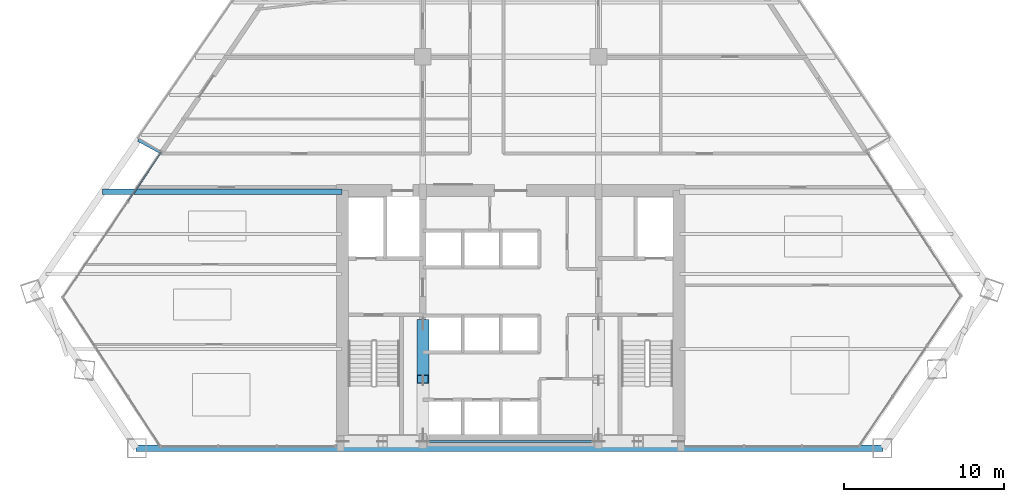
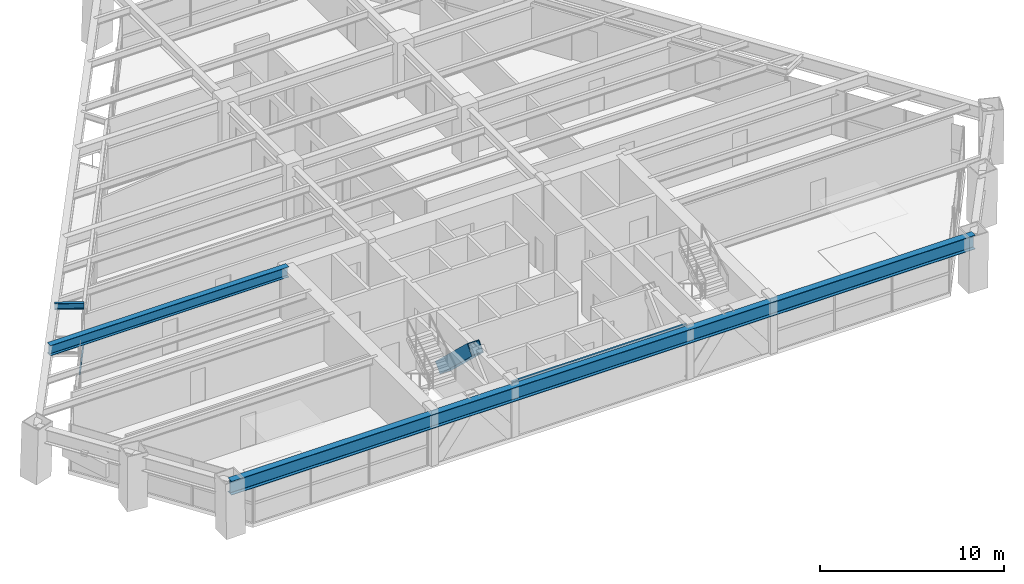
# One storey, part 3 of 14: 4 beams, 2 members, 1 element without a shape of its own.
"""IFC4 building model written with IfcOpenShell, lengths in metres."""

from ifc_helpers import new_model, si_unit, direction, frame, origin, origin_2d, place, context, subcontext, project, spatial, rectangle, hollow_rectangle, i_section, extrude, source, transform, mapped, material, material_profile, profile_set, type_object, type_shapes, element, aggregate, save


model = new_model("IFC4")

# Units and contexts
model_context = context("Model", 3, precision=1e-05, world=origin(), true_north=direction((0.0, 1.0)))
body_context = subcontext(model_context, "Body", "Model", "MODEL_VIEW")
ifc_project = project(units=[si_unit("LENGTHUNIT", "METRE"), si_unit("AREAUNIT", "SQUARE_METRE"), si_unit("VOLUMEUNIT", "CUBIC_METRE"), si_unit("PLANEANGLEUNIT", "RADIAN"), si_unit("MASSUNIT", "GRAM", prefix="KILO")], contexts=[model_context])

# Site, building, storey
site_placement = place(None, origin())
site = spatial("IfcSite", under=ifc_project, at=site_placement, CompositionType="ELEMENT")
building_placement = place(site_placement, origin())
building = spatial("IfcBuilding", under=site, at=building_placement, Name="Varnakhor Terracotta Tower", CompositionType="ELEMENT")
storey_placement = place(building_placement, frame((0.0, 0.0, 80.300048828125)))
storey = spatial("IfcBuildingStorey", under=building, at=storey_placement, Name="L19", CompositionType="ELEMENT", Elevation=80.300048828125)

# Beam
ifc_material_1 = material(Name="Steel S355", Category="steel")
ifc_material_profile_1 = material_profile(ifc_material_1, i_section(OverallWidth=0.1201171875, OverallDepth=0.239990234375, WebThickness=0.006103515625, FlangeThickness=0.009765625, FilletRadius=0.01806640625, at=origin_2d()), Name="IPE240")
ifc_profile_set_1 = profile_set([ifc_material_profile_1], Name="Steel S355")
beam_type_1 = type_object("IfcBeamType", Name="LNT-IPE240", PredefinedType="LINTEL", material=ifc_profile_set_1)
shared_shape_1 = source(origin(), body_context, "Body", "SweptSolid", [
    extrude(i_section(OverallWidth=0.1201171875, OverallDepth=0.239990234375, WebThickness=0.006103515625, FlangeThickness=0.009765625, FilletRadius=0.01806640625, at=origin_2d()), origin(), (0.0, 0.0, 1.0), 11.0),
])
type_shapes(beam_type_1, [shared_shape_1])
beam_1_placement = place(storey_placement, frame((-5.5, 0.419921875, 3.329833984375), z_axis=(1.0, 0.0, 0.0), x_axis=(0.0, 1.0, 0.0)))
element("IfcBeam", 1, at=beam_1_placement, inside=storey, type_object=beam_type_1, Name="L19 Core South Coupling Lintel", PredefinedType="LINTEL", context=body_context, shape_type="MappedRepresentation", body=[
    mapped(shared_shape_1, transform((0.0, 0.0, 0.0), scale=1.0)),
])

# Member
ifc_material_2 = material(Name="Steel S460", Category="steel")
ifc_material_profile_2 = material_profile(ifc_material_2, hollow_rectangle(XDim=0.75, YDim=0.75, WallThickness=0.044921875, at=origin_2d()), Name="HSS750X750X45")
ifc_profile_set_2 = profile_set([ifc_material_profile_2], Name="Steel S460")
member_type_1 = type_object("IfcMemberType", Name="MBR-MEGA-750", PredefinedType="BRACE", material=ifc_profile_set_2)
shared_shape_2 = source(origin(), body_context, "Body", "SweptSolid", [
    extrude(hollow_rectangle(XDim=0.75, YDim=0.75, WallThickness=0.044921875, at=origin_2d()), origin(), (0.0, 0.0, 1.0), 4.792236328125),
])
member_1_placement = place(storey_placement, frame((-5.5, 7.800048828125, 0.0), z_axis=(0.0, -0.72513424341, 0.688607529028), x_axis=(1.0, 0.0, 0.0)))
element("IfcMember", 2, at=member_1_placement, inside=storey, type_object=member_type_1, Name="L19 Core Coupled Brace CWWB", PredefinedType="BRACE", context=body_context, shape_type="MappedRepresentation", body=[
    mapped(shared_shape_2, transform((0.0, 0.0, 0.0), scale=1.0)),
])

# Beams
ifc_material_profile_3 = material_profile(ifc_material_1, i_section(OverallWidth=0.41796875, OverallDepth=0.927001953125, WebThickness=0.01904296875, FlangeThickness=0.031982421875, FilletRadius=0.01806640625, at=origin_2d()), Name="W36X231")
ifc_profile_set_3 = profile_set([ifc_material_profile_3], Name="Steel S355")
beam_type_2 = type_object("IfcBeamType", Name="BM-W36X231", PredefinedType="BEAM", material=ifc_profile_set_3)
shared_shape_3 = source(origin(), body_context, "Body", "SweptSolid", [
    extrude(i_section(OverallWidth=0.41796875, OverallDepth=0.927001953125, WebThickness=0.01904296875, FlangeThickness=0.031982421875, FilletRadius=0.01806640625, at=origin_2d()), origin(), (0.0, 0.0, 1.0), 46.737548828125),
])
beam_2_placement = place(storey_placement, frame((-23.43994140625, 0.0, 2.986572265625), z_axis=(1.0, 0.0, 0.0), x_axis=(0.0, 1.0, 0.0)))
element("IfcBeam", 3, at=beam_2_placement, inside=storey, type_object=beam_type_2, Name="L19 Perimeter Spandrel 1", PredefinedType="BEAM", context=body_context, shape_type="MappedRepresentation", body=[
    mapped(shared_shape_3, transform((0.0, 0.0, 0.0), scale=1.0)),
])
ifc_material_profile_4 = material_profile(ifc_material_1, i_section(OverallWidth=0.35498046875, OverallDepth=0.695068359375, WebThickness=0.014892578125, FlangeThickness=0.02490234375, FilletRadius=0.01806640625, at=origin_2d()), Name="W27X146")
ifc_profile_set_4 = profile_set([ifc_material_profile_4], Name="Steel S355")
beam_type_3 = type_object("IfcBeamType", Name="BM-W27X146", PredefinedType="BEAM", material=ifc_profile_set_4)
shared_shape_4 = source(origin(), body_context, "Body", "SweptSolid", [
    extrude(i_section(OverallWidth=0.35498046875, OverallDepth=0.695068359375, WebThickness=0.014892578125, FlangeThickness=0.02490234375, FilletRadius=0.01806640625, at=origin_2d()), origin(), (0.0, 0.0, 1.0), 14.99267578125),
])
beam_3_placement = place(storey_placement, frame((-25.542724609375, 16.050048828125, 3.1025390625), z_axis=(1.0, 0.0, 0.0), x_axis=(0.0, 1.0, 0.0)))
element("IfcBeam", 4, at=beam_3_placement, inside=storey, type_object=beam_type_3, Name="L19 Wing Girder W", PredefinedType="BEAM", context=body_context, shape_type="MappedRepresentation", body=[
    mapped(shared_shape_4, transform((0.0, 0.0, 0.0), scale=1.0)),
])

# Curtain wall, member
ifc_material_3 = material(Name="Anodised Aluminium Curtain Wall System", Category="aluminium")
curtain_wall_type = type_object("IfcCurtainWallType", Name="CW-SYS-LOW-OFFICE", PredefinedType="NOTDEFINED", material=ifc_material_3)
curtain_wall_placement = place(storey_placement, origin())
curtain_wall = element("IfcCurtainWall", 5, at=curtain_wall_placement, inside=storey, type_object=curtain_wall_type, Name="L19 W Facet Curtain Wall 1", PredefinedType="NOTDEFINED")
ifc_material_4 = material(Name="Anodised Aluminium 6063-T6", Category="aluminium")
ifc_material_profile_5 = material_profile(ifc_material_4, rectangle(XDim=0.074951171875, YDim=0.1650390625, at=origin_2d()), Name="ALU TRANSOM 75x165")
ifc_profile_set_5 = profile_set([ifc_material_profile_5], Name="Anodised Aluminium 6063-T6")
member_type_2 = type_object("IfcMemberType", Name="CWT-02", PredefinedType="USERDEFINED", material=ifc_profile_set_5)
shared_shape_5 = source(origin(), body_context, "Body", "SweptSolid", [
    extrude(rectangle(XDim=0.074951171875, YDim=0.1650390625, at=origin_2d()), origin(), (0.0, 0.0, 1.0), 3.6630859375),
])
member_2_placement = place(storey_placement, frame((-23.9326171875, 15.473388671875, 1.2724609375), z_axis=(0.560454603308, 0.828185146951, 0.0), x_axis=(-0.828185146951, 0.560454603308, 0.0)))
member_2 = element("IfcMember", 6, at=member_2_placement, type_object=member_type_2, Name="L19 W Facet Curtain Wall 1 Transom 3", ObjectType="TRANSOM", PredefinedType="USERDEFINED", context=body_context, shape_type="MappedRepresentation", body=[
    mapped(shared_shape_5, transform((0.0, 0.0, 0.0), scale=1.0)),
])
aggregate(curtain_wall, [member_2])

# Beam
ifc_material_profile_6 = material_profile(ifc_material_1, i_section(OverallWidth=0.179931640625, OverallDepth=0.39990234375, WebThickness=0.008544921875, FlangeThickness=0.013427734375, FilletRadius=0.01806640625, at=origin_2d()), Name="IPE400")
ifc_profile_set_6 = profile_set([ifc_material_profile_6], Name="Steel S355")
beam_type_4 = type_object("IfcBeamType", Name="JST-IPE400", PredefinedType="JOIST", material=ifc_profile_set_6)
shared_shape_6 = source(origin(), body_context, "Body", "SweptSolid", [
    extrude(i_section(OverallWidth=0.179931640625, OverallDepth=0.39990234375, WebThickness=0.008544921875, FlangeThickness=0.013427734375, FilletRadius=0.01806640625, at=origin_2d()), origin(), (0.0, 0.0, 1.0), 1.609130859375),
])
beam_4_placement = place(storey_placement, frame((-21.89697265625, 18.51806640625, 3.25), z_axis=(-0.878740720024, 0.477299431146, 0.0), x_axis=(-0.477299431146, -0.878740720024, 0.0)))
element("IfcBeam", 7, at=beam_4_placement, inside=storey, type_object=beam_type_4, Name="L20 W Loggia Tie Beam 1", PredefinedType="JOIST", context=body_context, shape_type="MappedRepresentation", body=[
    mapped(shared_shape_6, transform((0.0, 0.0, 0.0), scale=1.0)),
])

save(model, "model.ifc")
